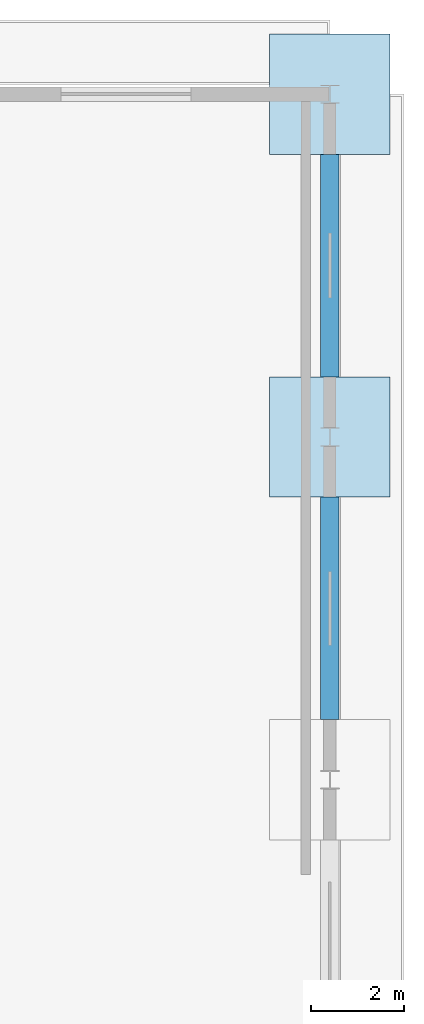
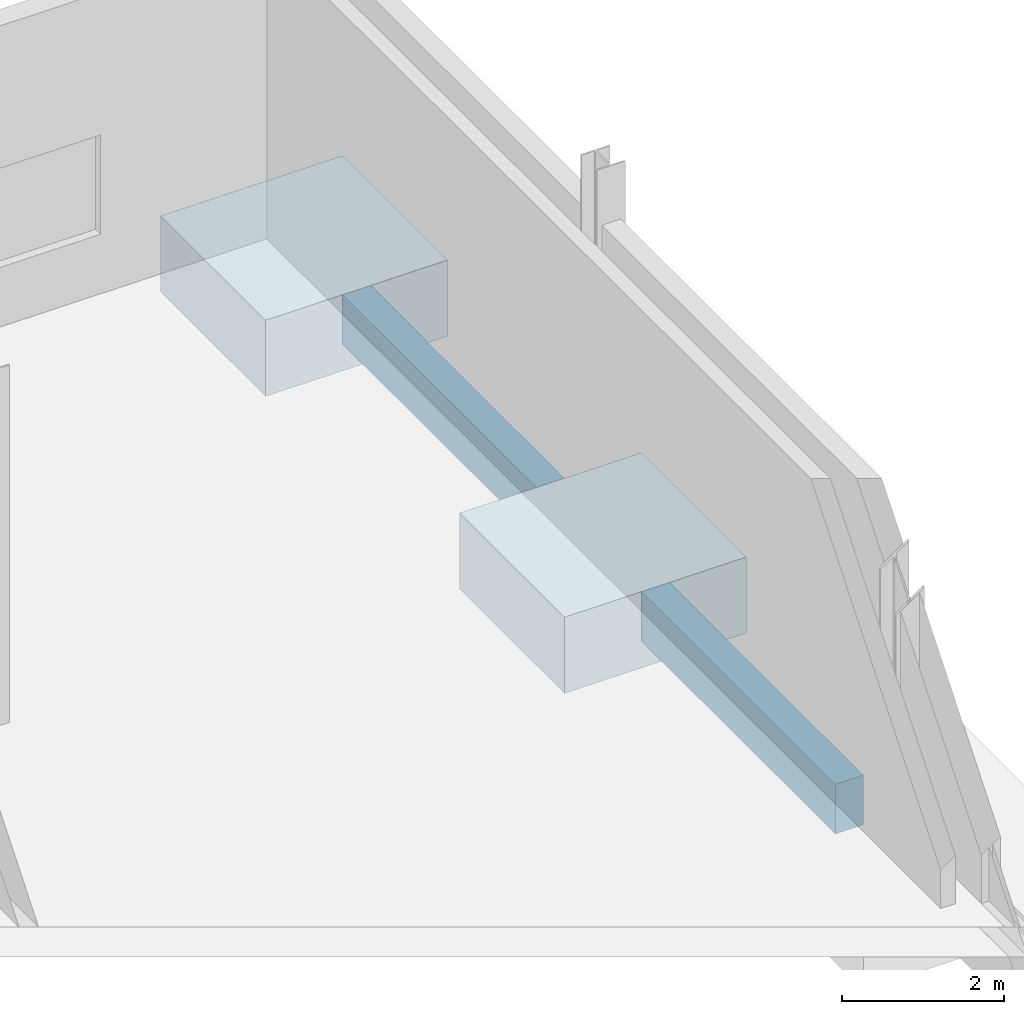
# One storey, part 4 of 95: 4 footings.
"""IFC4 building model written with IfcOpenShell, lengths in metres."""

from ifc_helpers import new_model, si_unit, direction, frame, origin, origin_2d, place, context, subcontext, project, spatial, rectangle, extrude, material, material_profile, profile_set, type_object, element, save


model = new_model("IFC4")

# Units and contexts
model_context = context("Model", 3, precision=1e-05, world=origin(), true_north=direction((0.0, 1.0)))
body_context = subcontext(model_context, "Body", "Model", "MODEL_VIEW")
ifc_project = project(units=[si_unit("LENGTHUNIT", "METRE"), si_unit("AREAUNIT", "SQUARE_METRE"), si_unit("VOLUMEUNIT", "CUBIC_METRE"), si_unit("PLANEANGLEUNIT", "RADIAN"), si_unit("MASSUNIT", "GRAM", prefix="KILO")], contexts=[model_context])

# Site, building, storey
site_placement = place(None, origin())
site = spatial("IfcSite", under=ifc_project, at=site_placement, CompositionType="ELEMENT")
building_placement = place(site_placement, origin())
building = spatial("IfcBuilding", under=site, at=building_placement, Name="Shengluoqiao Park Theatre", CompositionType="ELEMENT")
storey_placement = place(building_placement, origin())
storey = spatial("IfcBuildingStorey", under=building, at=storey_placement, Name="L00", CompositionType="ELEMENT", Elevation=0.0)

# Footings
ifc_material = material(Name="Concrete C40", Category="concrete")
footing_type_1 = type_object("IfcFootingType", Name="STR-PAD-2600", PredefinedType="PAD_FOOTING", material=ifc_material)
for number, where, z_axis, x_axis, name in (
    (1, (166.0, 106.60009765625, -1.449951171875), (0.0, 0.0, 1.0), (1.0, 0.0, 0.0), "Pad Footing PF-097"),
    (2, (166.0, 114.0, -1.449951171875), (0.0, 0.0, 1.0), (1.0, 0.0, 0.0), "Pad Footing PF-098"),
):
    element("IfcFooting", number, at=place(storey_placement, frame(where, z_axis=z_axis, x_axis=x_axis)), inside=storey, type_object=footing_type_1, Name=name, PredefinedType="PAD_FOOTING", context=body_context, shape_type="SweptSolid", body=[
        extrude(rectangle(XDim=2.60009765625, YDim=2.60009765625, at=origin_2d()), origin(), (0.0, 0.0, 1.0), 1.14990234375),
    ])
ifc_material_profile = material_profile(ifc_material, rectangle(XDim=0.39990234375, YDim=0.75, at=origin_2d()), Name="RC TIE 400x750")
ifc_profile_set = profile_set([ifc_material_profile], Name="Concrete C40")
footing_type_2 = type_object("IfcFootingType", Name="STR-TB-400x750", PredefinedType="FOOTING_BEAM", material=ifc_profile_set)
for number, where, z_axis, x_axis, name in (
    (3, (166.0, 100.5, -0.675048828125), (0.0, 1.0, 0.0), (-1.0, 0.0, 0.0), "Foundation Tie Beam TB-Y166"),
    (4, (166.0, 107.89990234375, -0.675048828125), (0.0, 1.0, 0.0), (-1.0, 0.0, 0.0), "Foundation Tie Beam TB-Y167"),
):
    element("IfcFooting", number, at=place(storey_placement, frame(where, z_axis=z_axis, x_axis=x_axis)), inside=storey, type_object=footing_type_2, Name=name, PredefinedType="FOOTING_BEAM", context=body_context, shape_type="SweptSolid", body=[
        extrude(rectangle(XDim=0.39990234375, YDim=0.75, at=origin_2d()), origin(), (0.0, 0.0, 1.0), 4.800048828125),
    ])

save(model, "model.ifc")
